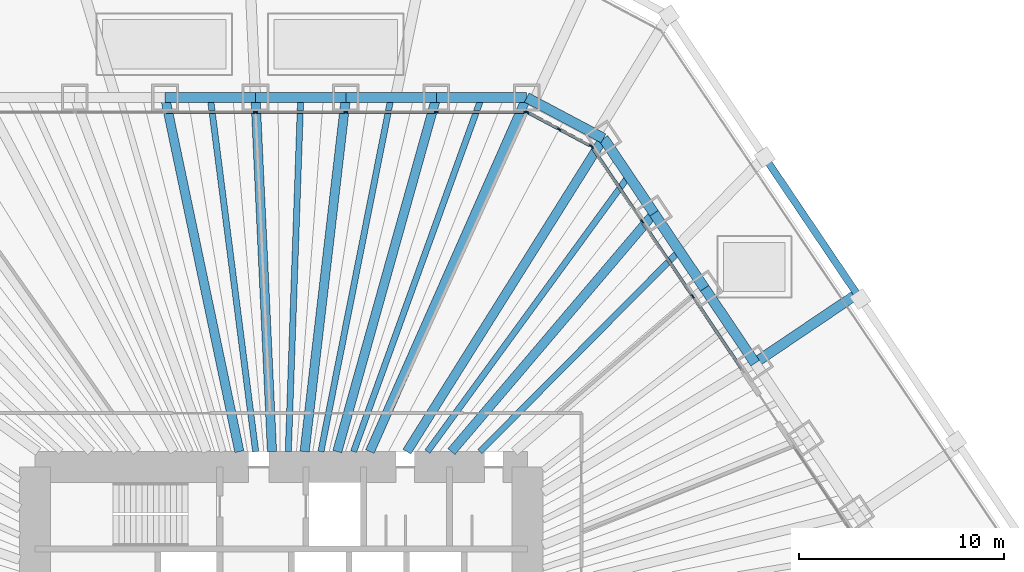
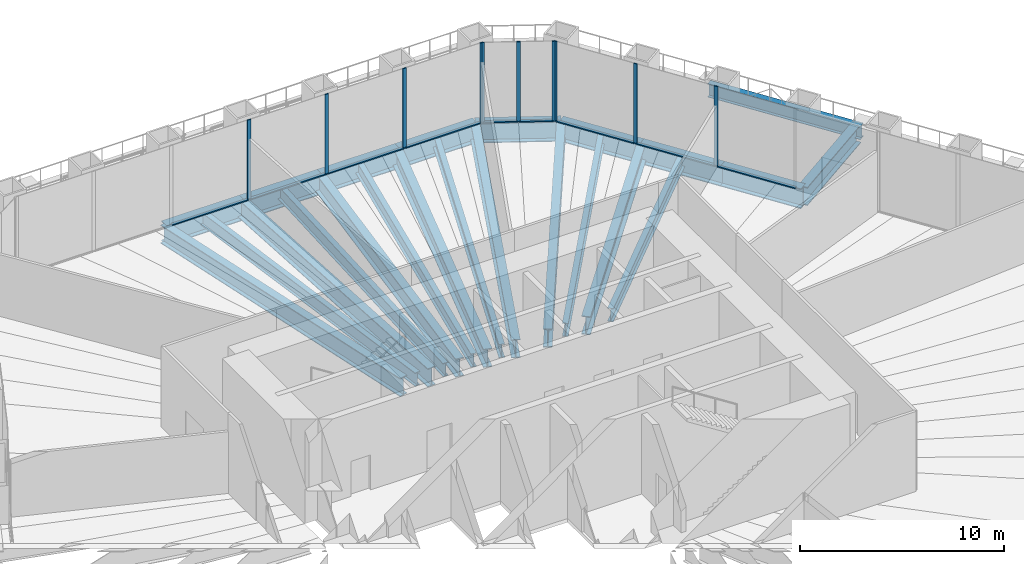
# One storey, part 9 of 20: 23 beams, 19 members, 3 elements without a shape of their own.
"""IFC4 building model written with IfcOpenShell, lengths in metres."""

from ifc_helpers import new_model, si_unit, direction, frame, origin, origin_2d, place, context, subcontext, project, spatial, rectangle, i_section, extrude, material, material_profile, profile_set, type_object, element, aggregate, save


model = new_model("IFC4")

# Units and contexts
model_context = context("Model", 3, precision=1e-05, world=origin(), true_north=direction((0.0, 1.0)))
body_context = subcontext(model_context, "Body", "Model", "MODEL_VIEW")
ifc_project = project(units=[si_unit("LENGTHUNIT", "METRE"), si_unit("AREAUNIT", "SQUARE_METRE"), si_unit("VOLUMEUNIT", "CUBIC_METRE"), si_unit("PLANEANGLEUNIT", "RADIAN"), si_unit("MASSUNIT", "GRAM", prefix="KILO")], contexts=[model_context])

# Site, building, storey
site_placement = place(None, origin())
site = spatial("IfcSite", under=ifc_project, at=site_placement, CompositionType="ELEMENT")
building_placement = place(site_placement, origin())
building = spatial("IfcBuilding", under=site, at=building_placement, Name="Qingtian Harvest Tower", CompositionType="ELEMENT")
storey_placement = place(building_placement, frame((0.0, 0.0, 17.0)))
storey = spatial("IfcBuildingStorey", under=building, at=storey_placement, Name="L03", CompositionType="ELEMENT", Elevation=17.0)

# Beams
ifc_material_1 = material(Name="Steel SM570MC", Category="steel")
ifc_material_profile_1 = material_profile(ifc_material_1, i_section(OverallWidth=0.449951171875, OverallDepth=1.10009765625, WebThickness=0.02197265625, FlangeThickness=0.044921875, at=origin_2d()), Name="H1100x450x22x45")
ifc_profile_set_1 = profile_set([ifc_material_profile_1], Name="Steel SM570MC")
beam_type_1 = type_object("IfcBeamType", Name="Corner floor beam FB8 H1100x450x22x45", PredefinedType="BEAM", material=ifc_profile_set_1)
beam_1_placement = place(storey_placement, frame((11.9560546875, 27.0, -0.85009765625), z_axis=(-0.404898955654, -0.914361436036, 0.0), x_axis=(0.914361436036, -0.404898955654, 0.0)))
element("IfcBeam", 1, at=beam_1_placement, inside=storey, type_object=beam_type_1, Name="Floor beam FB8 N6", PredefinedType="BEAM", context=body_context, shape_type="SweptSolid", body=[
    extrude(i_section(OverallWidth=0.449951171875, OverallDepth=1.10009765625, WebThickness=0.02197265625, FlangeThickness=0.044921875, at=origin_2d()), origin(), (0.0, 0.0, 1.0), 18.86572265625),
])
beam_2_placement = place(storey_placement, frame((15.6982421875, 25.01025390625, -0.85009765625), z_axis=(-0.531622796942, -0.846981228701, 0.0), x_axis=(0.846981228701, -0.531622796942, 0.0)))
element("IfcBeam", 2, at=beam_2_placement, inside=storey, type_object=beam_type_1, Name="Floor beam FB8 NE0", PredefinedType="BEAM", context=body_context, shape_type="SweptSolid", body=[
    extrude(i_section(OverallWidth=0.449951171875, OverallDepth=1.10009765625, WebThickness=0.02197265625, FlangeThickness=0.044921875, at=origin_2d()), origin(), (0.0, 0.0, 1.0), 18.017333984375),
])
ifc_material_2 = material(Name="Steel SM570MC", Category="steel")
ifc_material_profile_2 = material_profile(ifc_material_2, i_section(OverallWidth=0.449951171875, OverallDepth=1.10009765625, WebThickness=0.02197265625, FlangeThickness=0.044921875, at=origin_2d()), Name="H1100x450x22x45")
ifc_profile_set_2 = profile_set([ifc_material_profile_2], Name="Steel SM570MC")
beam_type_2 = type_object("IfcBeamType", Name="Floor beam FB1 H1100x450x22x45", PredefinedType="BEAM", material=ifc_profile_set_2)
beam_3_placement = place(storey_placement, frame((-5.662353515625, 27.0, -0.85009765625), z_axis=(0.205255077335, -0.978708512903, 0.0), x_axis=(0.978708512903, 0.205255077335, 0.0)))
element("IfcBeam", 3, at=beam_3_placement, inside=storey, type_object=beam_type_2, Name="Floor beam FB1 N2", PredefinedType="BEAM", context=body_context, shape_type="SweptSolid", body=[
    extrude(i_section(OverallWidth=0.449951171875, OverallDepth=1.10009765625, WebThickness=0.02197265625, FlangeThickness=0.044921875, at=origin_2d()), origin(), (0.0, 0.0, 1.0), 17.625244140625),
])
beam_4_placement = place(storey_placement, frame((-1.257568359375, 27.0, -0.85009765625), z_axis=(0.046527342366, -0.99891701678, 0.0), x_axis=(0.99891701678, 0.046527342366, 0.0)))
element("IfcBeam", 4, at=beam_4_placement, inside=storey, type_object=beam_type_2, Name="Floor beam FB1 N3", PredefinedType="BEAM", context=body_context, shape_type="SweptSolid", body=[
    extrude(i_section(OverallWidth=0.449951171875, OverallDepth=1.10009765625, WebThickness=0.02197265625, FlangeThickness=0.044921875, at=origin_2d()), origin(), (0.0, 0.0, 1.0), 17.268798828125),
])
beam_5_placement = place(storey_placement, frame((3.14697265625, 27.0, -0.85009765625), z_axis=(-0.115766971807, -0.993276400726, 0.0), x_axis=(0.993276400726, -0.115766971807, 0.0)))
element("IfcBeam", 5, at=beam_5_placement, inside=storey, type_object=beam_type_2, Name="Floor beam FB1 N4", PredefinedType="BEAM", context=body_context, shape_type="SweptSolid", body=[
    extrude(i_section(OverallWidth=0.449951171875, OverallDepth=1.10009765625, WebThickness=0.02197265625, FlangeThickness=0.044921875, at=origin_2d()), origin(), (0.0, 0.0, 1.0), 17.36669921875),
])
beam_6_placement = place(storey_placement, frame((7.551513671875, 27.0, -0.85009765625), z_axis=(-0.269343258019, -0.963044240604, 0.0), x_axis=(0.963044240604, -0.269343258019, 0.0)))
element("IfcBeam", 6, at=beam_6_placement, inside=storey, type_object=beam_type_2, Name="Floor beam FB1 N5", PredefinedType="BEAM", context=body_context, shape_type="SweptSolid", body=[
    extrude(i_section(OverallWidth=0.449951171875, OverallDepth=1.10009765625, WebThickness=0.02197265625, FlangeThickness=0.044921875, at=origin_2d()), origin(), (0.0, 0.0, 1.0), 17.911865234375),
])
beam_7_placement = place(storey_placement, frame((18.1611328125, 21.358642578125, -0.85009765625), z_axis=(-0.647781887327, -0.761825850474, 0.0), x_axis=(0.761825850474, -0.647781887327, 0.0)))
element("IfcBeam", 7, at=beam_7_placement, inside=storey, type_object=beam_type_2, Name="Floor beam FB1 NE1", PredefinedType="BEAM", context=body_context, shape_type="SweptSolid", body=[
    extrude(i_section(OverallWidth=0.449951171875, OverallDepth=1.10009765625, WebThickness=0.02197265625, FlangeThickness=0.044921875, at=origin_2d()), origin(), (0.0, 0.0, 1.0), 15.238037109375),
])
ifc_material_3 = material(Name="Steel SM570MC", Category="steel")
ifc_material_profile_3 = material_profile(ifc_material_3, i_section(OverallWidth=0.5, OverallDepth=1.10009765625, WebThickness=0.02490234375, FlangeThickness=0.050048828125, at=origin_2d()), Name="H1100x500x25x50")
ifc_profile_set_3 = profile_set([ifc_material_profile_3], Name="Steel SM570MC")
beam_type_3 = type_object("IfcBeamType", Name="Floor beam FB6 H1100x500x25x50", PredefinedType="BEAM", material=ifc_profile_set_3)
beam_8_placement = place(storey_placement, frame((28.050048828125, 17.427734375, -0.85009765625), z_axis=(-0.829026943096, -0.559208661969, 0.0), x_axis=(0.559208661969, -0.829026943096, 0.0)))
element("IfcBeam", 8, at=beam_8_placement, inside=storey, type_object=beam_type_3, Name="Podium floor beam FB6 NE2", PredefinedType="BEAM", context=body_context, shape_type="SweptSolid", body=[
    extrude(i_section(OverallWidth=0.5, OverallDepth=1.10009765625, WebThickness=0.02490234375, FlangeThickness=0.050048828125, at=origin_2d()), origin(), (0.0, 0.0, 1.0), 6.0),
])
ifc_material_4 = material(Name="Steel SN490B", Category="steel")
ifc_material_profile_4 = material_profile(ifc_material_4, i_section(OverallWidth=0.300048828125, OverallDepth=0.800048828125, WebThickness=0.013916015625, FlangeThickness=0.02587890625, at=origin_2d()), Name="H800x300x14x26")
ifc_profile_set_4 = profile_set([ifc_material_profile_4], Name="Steel SN490B")
beam_type_4 = type_object("IfcBeamType", Name="Floor joist J1 H800x300x14x26", PredefinedType="JOIST", material=ifc_profile_set_4)
beam_9_placement = place(storey_placement, frame((-3.4599609375, 27.0, -0.699951171875), z_axis=(0.127102696173, -0.991889562716, 0.0), x_axis=(0.991889562716, 0.127102696173, 0.0)))
element("IfcBeam", 9, at=beam_9_placement, inside=storey, type_object=beam_type_4, Name="Floor joist J1 N2", PredefinedType="JOIST", context=body_context, shape_type="SweptSolid", body=[
    extrude(i_section(OverallWidth=0.300048828125, OverallDepth=0.800048828125, WebThickness=0.013916015625, FlangeThickness=0.02587890625, at=origin_2d()), origin(), (0.0, 0.0, 1.0), 17.39111328125),
])
beam_10_placement = place(storey_placement, frame((0.944580078125, 27.0, -0.699951171875), z_axis=(-0.034965020137, -0.99938853674, 0.0), x_axis=(0.99938853674, -0.034965020137, 0.0)))
element("IfcBeam", 10, at=beam_10_placement, inside=storey, type_object=beam_type_4, Name="Floor joist J1 N3", PredefinedType="JOIST", context=body_context, shape_type="SweptSolid", body=[
    extrude(i_section(OverallWidth=0.300048828125, OverallDepth=0.800048828125, WebThickness=0.013916015625, FlangeThickness=0.02587890625, at=origin_2d()), origin(), (0.0, 0.0, 1.0), 17.260498046875),
])
beam_11_placement = place(storey_placement, frame((5.349365234375, 27.0, -0.699951171875), z_axis=(-0.19435104803, -0.980932041545, 0.0), x_axis=(0.980932041545, -0.19435104803, 0.0)))
element("IfcBeam", 11, at=beam_11_placement, inside=storey, type_object=beam_type_4, Name="Floor joist J1 N4", PredefinedType="JOIST", context=body_context, shape_type="SweptSolid", body=[
    extrude(i_section(OverallWidth=0.300048828125, OverallDepth=0.800048828125, WebThickness=0.013916015625, FlangeThickness=0.02587890625, at=origin_2d()), origin(), (0.0, 0.0, 1.0), 17.585205078125),
])
beam_12_placement = place(storey_placement, frame((9.75390625, 27.0, -0.699951171875), z_axis=(-0.339766141765, -0.940509951521, 0.0), x_axis=(0.940509951521, -0.339766141765, 0.0)))
element("IfcBeam", 12, at=beam_12_placement, inside=storey, type_object=beam_type_4, Name="Floor joist J1 N5", PredefinedType="JOIST", context=body_context, shape_type="SweptSolid", body=[
    extrude(i_section(OverallWidth=0.300048828125, OverallDepth=0.800048828125, WebThickness=0.013916015625, FlangeThickness=0.02587890625, at=origin_2d()), origin(), (0.0, 0.0, 1.0), 18.341064453125),
])
beam_13_placement = place(storey_placement, frame((16.9296875, 23.1845703125, -0.699951171875), z_axis=(-0.589722175422, -0.80760618857, 0.0), x_axis=(0.80760618857, -0.589722175422, 0.0)))
element("IfcBeam", 13, at=beam_13_placement, inside=storey, type_object=beam_type_4, Name="Floor joist J1 NE0", PredefinedType="JOIST", context=body_context, shape_type="SweptSolid", body=[
    extrude(i_section(OverallWidth=0.300048828125, OverallDepth=0.800048828125, WebThickness=0.013916015625, FlangeThickness=0.02587890625, at=origin_2d()), origin(), (0.0, 0.0, 1.0), 16.635009765625),
])
beam_14_placement = place(storey_placement, frame((19.392822265625, 19.532958984375, -0.699951171875), z_axis=(-0.704560879039, -0.709643549768, 0.0), x_axis=(0.709643549768, -0.704560879039, 0.0)))
element("IfcBeam", 14, at=beam_14_placement, inside=storey, type_object=beam_type_4, Name="Floor joist J1 NE1", PredefinedType="JOIST", context=body_context, shape_type="SweptSolid", body=[
    extrude(i_section(OverallWidth=0.300048828125, OverallDepth=0.800048828125, WebThickness=0.013916015625, FlangeThickness=0.02587890625, at=origin_2d()), origin(), (0.0, 0.0, 1.0), 13.78564453125),
])

# Curtain wall, members
ifc_material_5 = material(Name="Bronze-anodised aluminium curtain wall", Category="aluminium")
curtain_wall_type = type_object("IfcCurtainWallType", Name="Curtain wall CW2 farm reception", PredefinedType="USERDEFINED", material=ifc_material_5)
curtain_wall_1_placement = place(storey_placement, origin())
curtain_wall_1 = element("IfcCurtainWall", 15, at=curtain_wall_1_placement, inside=storey, type_object=curtain_wall_type, Name="Curtain wall CW2 L03 N0-5", ObjectType="RECESSED CURTAIN WALL", PredefinedType="USERDEFINED")
ifc_material_6 = material(Name="Bronze-anodised aluminium mullion", Category="aluminium")
ifc_material_profile_5 = material_profile(ifc_material_6, rectangle(XDim=0.06494140625, YDim=0.199951171875, at=origin_2d()), Name="AL 65x200")
ifc_profile_set_5 = profile_set([ifc_material_profile_5], Name="Bronze-anodised aluminium mullion")
member_type_1 = type_object("IfcMemberType", Name="Mullion CWM 65x200", PredefinedType="MULLION", material=ifc_profile_set_5)
member_1_placement = place(storey_placement, frame((-1.257568359375, 26.300048828125, 0.0), z_axis=(0.0, 0.0, 1.0), x_axis=(0.0, 1.0, 0.0)))
member_1 = element("IfcMember", 16, at=member_1_placement, type_object=member_type_1, Name="CW2 mullion 4", PredefinedType="MULLION", context=body_context, shape_type="SweptSolid", body=[
    extrude(rectangle(XDim=0.06494140625, YDim=0.199951171875, at=origin_2d()), origin(), (0.0, 0.0, 1.0), 4.800048828125),
])
member_2_placement = place(storey_placement, frame((3.14697265625, 26.300048828125, 0.0), z_axis=(0.0, 0.0, 1.0), x_axis=(0.0, 1.0, 0.0)))
member_2 = element("IfcMember", 17, at=member_2_placement, type_object=member_type_1, Name="CW2 mullion 5", PredefinedType="MULLION", context=body_context, shape_type="SweptSolid", body=[
    extrude(rectangle(XDim=0.06494140625, YDim=0.199951171875, at=origin_2d()), origin(), (0.0, 0.0, 1.0), 4.800048828125),
])
member_3_placement = place(storey_placement, frame((7.551513671875, 26.300048828125, 0.0), z_axis=(0.0, 0.0, 1.0), x_axis=(0.0, 1.0, 0.0)))
member_3 = element("IfcMember", 18, at=member_3_placement, type_object=member_type_1, Name="CW2 mullion 6", PredefinedType="MULLION", context=body_context, shape_type="SweptSolid", body=[
    extrude(rectangle(XDim=0.06494140625, YDim=0.199951171875, at=origin_2d()), origin(), (0.0, 0.0, 1.0), 4.800048828125),
])
member_4_placement = place(storey_placement, frame((11.923583984375, 26.300048828125, 0.0), z_axis=(0.0, 0.0, 1.0), x_axis=(0.0, 1.0, 0.0)))
member_4 = element("IfcMember", 19, at=member_4_placement, type_object=member_type_1, Name="CW2 mullion 7", PredefinedType="MULLION", context=body_context, shape_type="SweptSolid", body=[
    extrude(rectangle(XDim=0.06494140625, YDim=0.199951171875, at=origin_2d()), origin(), (0.0, 0.0, 1.0), 4.800048828125),
])

curtain_wall_2_placement = place(storey_placement, origin())
curtain_wall_2 = element("IfcCurtainWall", 20, at=curtain_wall_2_placement, inside=storey, type_object=curtain_wall_type, Name="Curtain wall CW2 L03 NC", ObjectType="RECESSED CURTAIN WALL", PredefinedType="USERDEFINED")
member_5_placement = place(storey_placement, frame((11.98486328125, 26.28466796875, 0.0), z_axis=(0.0, 0.0, 1.0), x_axis=(0.469471562786, 0.882947592859, 0.0)))
member_5 = element("IfcMember", 21, at=member_5_placement, type_object=member_type_1, Name="CW2 mullion 1", PredefinedType="MULLION", context=body_context, shape_type="SweptSolid", body=[
    extrude(rectangle(XDim=0.06494140625, YDim=0.199951171875, at=origin_2d()), origin(), (0.0, 0.0, 1.0), 4.800048828125),
])
member_6_placement = place(storey_placement, frame((13.537109375, 25.45947265625, 0.0), z_axis=(0.0, 0.0, 1.0), x_axis=(0.469471562786, 0.882947592859, 0.0)))
member_6 = element("IfcMember", 22, at=member_6_placement, type_object=member_type_1, Name="CW2 mullion 2", PredefinedType="MULLION", context=body_context, shape_type="SweptSolid", body=[
    extrude(rectangle(XDim=0.06494140625, YDim=0.199951171875, at=origin_2d()), origin(), (0.0, 0.0, 1.0), 4.800048828125),
])
member_7_placement = place(storey_placement, frame((15.089111328125, 24.634033203125, 0.0), z_axis=(0.0, 0.0, 1.0), x_axis=(0.469471562786, 0.882947592859, 0.0)))
member_7 = element("IfcMember", 23, at=member_7_placement, type_object=member_type_1, Name="CW2 mullion 3", PredefinedType="MULLION", context=body_context, shape_type="SweptSolid", body=[
    extrude(rectangle(XDim=0.06494140625, YDim=0.199951171875, at=origin_2d()), origin(), (0.0, 0.0, 1.0), 4.800048828125),
])

curtain_wall_3_placement = place(storey_placement, origin())
curtain_wall_3 = element("IfcCurtainWall", 24, at=curtain_wall_3_placement, inside=storey, type_object=curtain_wall_type, Name="Curtain wall CW2 L03 NE0-2", ObjectType="RECESSED CURTAIN WALL", PredefinedType="USERDEFINED")
member_8_placement = place(storey_placement, frame((15.135986328125, 24.592041015625, 0.0), z_axis=(0.0, 0.0, 1.0), x_axis=(0.829037572555, 0.559192903471, 0.0)))
member_8 = element("IfcMember", 25, at=member_8_placement, type_object=member_type_1, Name="CW2 mullion 1", PredefinedType="MULLION", context=body_context, shape_type="SweptSolid", body=[
    extrude(rectangle(XDim=0.06494140625, YDim=0.199951171875, at=origin_2d()), origin(), (0.0, 0.0, 1.0), 4.800048828125),
])
member_9_placement = place(storey_placement, frame((17.580810546875, 20.96728515625, 0.0), z_axis=(0.0, 0.0, 1.0), x_axis=(0.829037572555, 0.559192903471, 0.0)))
member_9 = element("IfcMember", 26, at=member_9_placement, type_object=member_type_1, Name="CW2 mullion 2", PredefinedType="MULLION", context=body_context, shape_type="SweptSolid", body=[
    extrude(rectangle(XDim=0.06494140625, YDim=0.199951171875, at=origin_2d()), origin(), (0.0, 0.0, 1.0), 4.800048828125),
])
member_10_placement = place(storey_placement, frame((20.0439453125, 17.315673828125, 0.0), z_axis=(0.0, 0.0, 1.0), x_axis=(0.829037572555, 0.559192903471, 0.0)))
member_10 = element("IfcMember", 27, at=member_10_placement, type_object=member_type_1, Name="CW2 mullion 3", PredefinedType="MULLION", context=body_context, shape_type="SweptSolid", body=[
    extrude(rectangle(XDim=0.06494140625, YDim=0.199951171875, at=origin_2d()), origin(), (0.0, 0.0, 1.0), 4.800048828125),
])

# Beams
ifc_material_7 = material(Name="Steel SN490B", Category="steel")
ifc_material_profile_6 = material_profile(ifc_material_7, i_section(OverallWidth=0.35009765625, OverallDepth=0.800048828125, WebThickness=0.01611328125, FlangeThickness=0.028076171875, at=origin_2d()), Name="H800x350x16x28")
ifc_profile_set_6 = profile_set([ifc_material_profile_6], Name="Steel SN490B")
beam_type_5 = type_object("IfcBeamType", Name="Podium beam PB1 H800x350x16x28", PredefinedType="BEAM", material=ifc_profile_set_6)
beam_15_placement = place(storey_placement, frame((23.55322265625, 24.0947265625, -0.699951171875), z_axis=(0.559176755628, -0.829048464183, 0.0), x_axis=(0.829048464183, 0.559176755628, 0.0)))
element("IfcBeam", 28, at=beam_15_placement, inside=storey, type_object=beam_type_5, Name="Podium edge beam PB1 NE1", PredefinedType="BEAM", context=body_context, shape_type="SweptSolid", body=[
    extrude(i_section(OverallWidth=0.35009765625, OverallDepth=0.800048828125, WebThickness=0.01611328125, FlangeThickness=0.028076171875, at=origin_2d()), origin(), (0.0, 0.0, 1.0), 8.341796875),
])
ifc_material_8 = material(Name="Steel SM570MC", Category="steel")
ifc_material_profile_7 = material_profile(ifc_material_8, i_section(OverallWidth=0.5, OverallDepth=1.199951171875, WebThickness=0.02490234375, FlangeThickness=0.050048828125, at=origin_2d()), Name="H1200x500x25x50")
ifc_profile_set_7 = profile_set([ifc_material_profile_7], Name="Steel SM570MC")
beam_type_6 = type_object("IfcBeamType", Name="Spandrel beam SB1 H1200x500x25x50", PredefinedType="SPANDREL", material=ifc_profile_set_7)
beam_16_placement = place(storey_placement, frame((-5.662353515625, 27.0, -0.89990234375), z_axis=(1.0, 0.0, 0.0), x_axis=(0.0, 1.0, 0.0)))
element("IfcBeam", 29, at=beam_16_placement, inside=storey, type_object=beam_type_6, Name="Spandrel SB1 N2", PredefinedType="SPANDREL", context=body_context, shape_type="SweptSolid", body=[
    extrude(i_section(OverallWidth=0.5, OverallDepth=1.199951171875, WebThickness=0.02490234375, FlangeThickness=0.050048828125, at=origin_2d()), origin(), (0.0, 0.0, 1.0), 4.40478515625),
])
for number, where, z_axis, x_axis, name in (
    (30, (-1.257568359375, 27.0, -0.89990234375), (1.0, 0.0, 0.0), (0.0, 1.0, 0.0), "Spandrel SB1 N3"),
    (31, (3.14697265625, 27.0, -0.89990234375), (1.0, 0.0, 0.0), (0.0, 1.0, 0.0), "Spandrel SB1 N4"),
    (32, (7.551513671875, 27.0, -0.89990234375), (1.0, 0.0, 0.0), (0.0, 1.0, 0.0), "Spandrel SB1 N5"),
):
    element("IfcBeam", number, at=place(storey_placement, frame(where, z_axis=z_axis, x_axis=x_axis)), inside=storey, type_object=beam_type_6, Name=name, PredefinedType="SPANDREL", context=body_context, shape_type="SweptSolid", body=[
        extrude(i_section(OverallWidth=0.5, OverallDepth=1.199951171875, WebThickness=0.02490234375, FlangeThickness=0.050048828125, at=origin_2d()), origin(), (0.0, 0.0, 1.0), 4.404541015625),
    ])
beam_17_placement = place(storey_placement, frame((11.9560546875, 27.0, -0.89990234375), z_axis=(0.882948599748, -0.469469669099, 0.0), x_axis=(0.469469669099, 0.882948599748, 0.0)))
element("IfcBeam", 33, at=beam_17_placement, inside=storey, type_object=beam_type_6, Name="Spandrel SB1 NC", PredefinedType="SPANDREL", context=body_context, shape_type="SweptSolid", body=[
    extrude(i_section(OverallWidth=0.5, OverallDepth=1.199951171875, WebThickness=0.02490234375, FlangeThickness=0.050048828125, at=origin_2d()), origin(), (0.0, 0.0, 1.0), 4.23828125),
])
beam_18_placement = place(storey_placement, frame((15.6982421875, 25.01025390625, -0.89990234375), z_axis=(0.559169135272, -0.829053603912, 0.0), x_axis=(0.829053603912, 0.559169135272, 0.0)))
element("IfcBeam", 34, at=beam_18_placement, inside=storey, type_object=beam_type_6, Name="Spandrel SB1 NE0", PredefinedType="SPANDREL", context=body_context, shape_type="SweptSolid", body=[
    extrude(i_section(OverallWidth=0.5, OverallDepth=1.199951171875, WebThickness=0.02490234375, FlangeThickness=0.050048828125, at=origin_2d()), origin(), (0.0, 0.0, 1.0), 4.404541015625),
])
beam_19_placement = place(storey_placement, frame((18.1611328125, 21.358642578125, -0.89990234375), z_axis=(0.559207231603, -0.829027907928, 0.0), x_axis=(0.829027907928, 0.559207231603, 0.0)))
element("IfcBeam", 35, at=beam_19_placement, inside=storey, type_object=beam_type_6, Name="Spandrel SB1 NE1", PredefinedType="SPANDREL", context=body_context, shape_type="SweptSolid", body=[
    extrude(i_section(OverallWidth=0.5, OverallDepth=1.199951171875, WebThickness=0.02490234375, FlangeThickness=0.050048828125, at=origin_2d()), origin(), (0.0, 0.0, 1.0), 4.40478515625),
])
beam_20_placement = place(storey_placement, frame((20.624267578125, 17.70703125, -0.89990234375), z_axis=(0.559232928578, -0.829010573874, 0.0), x_axis=(0.829010573874, 0.559232928578, 0.0)))
element("IfcBeam", 36, at=beam_20_placement, inside=storey, type_object=beam_type_6, Name="Spandrel SB1 NE2", PredefinedType="SPANDREL", context=body_context, shape_type="SweptSolid", body=[
    extrude(i_section(OverallWidth=0.5, OverallDepth=1.199951171875, WebThickness=0.02490234375, FlangeThickness=0.050048828125, at=origin_2d()), origin(), (0.0, 0.0, 1.0), 4.404541015625),
])

# Member
ifc_material_9 = material(Name="Bronze-anodised aluminium transom", Category="aluminium")
ifc_material_profile_8 = material_profile(ifc_material_9, rectangle(XDim=0.14990234375, YDim=0.06494140625, at=origin_2d()), Name="AL 65x150")
ifc_profile_set_8 = profile_set([ifc_material_profile_8], Name="Bronze-anodised aluminium transom")
member_type_2 = type_object("IfcMemberType", Name="Transom CWT 65x150", PredefinedType="USERDEFINED", material=ifc_profile_set_8)
member_11_placement = place(storey_placement, frame((-5.6298828125, 26.300048828125, 0.032470703125), z_axis=(1.0, 0.0, 0.0), x_axis=(0.0, 1.0, 0.0)))
member_11 = element("IfcMember", 37, at=member_11_placement, type_object=member_type_2, Name="CW2 transom 3.1", ObjectType="TRANSOM", PredefinedType="USERDEFINED", context=body_context, shape_type="SweptSolid", body=[
    extrude(rectangle(XDim=0.14990234375, YDim=0.06494140625, at=origin_2d()), origin(), (0.0, 0.0, 1.0), 4.33984375),
])

member_12_placement = place(storey_placement, frame((-1.22509765625, 26.300048828125, 0.032470703125), z_axis=(1.0, 0.0, 0.0), x_axis=(0.0, 1.0, 0.0)))
member_12 = element("IfcMember", 38, at=member_12_placement, type_object=member_type_2, Name="CW2 transom 4.1", ObjectType="TRANSOM", PredefinedType="USERDEFINED", context=body_context, shape_type="SweptSolid", body=[
    extrude(rectangle(XDim=0.14990234375, YDim=0.06494140625, at=origin_2d()), origin(), (0.0, 0.0, 1.0), 4.339599609375),
])

member_13_placement = place(storey_placement, frame((3.179443359375, 26.300048828125, 0.032470703125), z_axis=(1.0, 0.0, 0.0), x_axis=(0.0, 1.0, 0.0)))
member_13 = element("IfcMember", 39, at=member_13_placement, type_object=member_type_2, Name="CW2 transom 5.1", ObjectType="TRANSOM", PredefinedType="USERDEFINED", context=body_context, shape_type="SweptSolid", body=[
    extrude(rectangle(XDim=0.14990234375, YDim=0.06494140625, at=origin_2d()), origin(), (0.0, 0.0, 1.0), 4.339599609375),
])

member_14_placement = place(storey_placement, frame((7.583984375, 26.300048828125, 0.032470703125), z_axis=(1.0, 0.0, 0.0), x_axis=(0.0, 1.0, 0.0)))
member_14 = element("IfcMember", 40, at=member_14_placement, type_object=member_type_2, Name="CW2 transom 6.1", ObjectType="TRANSOM", PredefinedType="USERDEFINED", context=body_context, shape_type="SweptSolid", body=[
    extrude(rectangle(XDim=0.14990234375, YDim=0.06494140625, at=origin_2d()), origin(), (0.0, 0.0, 1.0), 4.30712890625),
])

aggregate(curtain_wall_1, [member_1, member_2, member_3, member_4, member_11, member_12, member_13, member_14])

member_15_placement = place(storey_placement, frame((12.013427734375, 26.26953125, 0.032470703125), z_axis=(0.882927080927, -0.469510138086, 0.0), x_axis=(0.469510138086, 0.882927080927, 0.0)))
member_15 = element("IfcMember", 41, at=member_15_placement, type_object=member_type_2, Name="CW2 transom 1.1", ObjectType="TRANSOM", PredefinedType="USERDEFINED", context=body_context, shape_type="SweptSolid", body=[
    extrude(rectangle(XDim=0.14990234375, YDim=0.06494140625, at=origin_2d()), origin(), (0.0, 0.0, 1.0), 1.693115234375),
])

member_16_placement = place(storey_placement, frame((13.565673828125, 25.444091796875, 0.032470703125), z_axis=(0.882986854304, -0.469397715297, 0.0), x_axis=(0.469397715297, 0.882986854304, 0.0)))
member_16 = element("IfcMember", 42, at=member_16_placement, type_object=member_type_2, Name="CW2 transom 2.1", ObjectType="TRANSOM", PredefinedType="USERDEFINED", context=body_context, shape_type="SweptSolid", body=[
    extrude(rectangle(XDim=0.14990234375, YDim=0.06494140625, at=origin_2d()), origin(), (0.0, 0.0, 1.0), 1.69287109375),
])

aggregate(curtain_wall_2, [member_5, member_6, member_7, member_15, member_16])

member_17_placement = place(storey_placement, frame((15.154296875, 24.56494140625, 0.032470703125), z_axis=(0.559178817275, -0.82904707364, 0.0), x_axis=(0.82904707364, 0.559178817275, 0.0)))
member_17 = element("IfcMember", 43, at=member_17_placement, type_object=member_type_2, Name="CW2 transom 1.1", ObjectType="TRANSOM", PredefinedType="USERDEFINED", context=body_context, shape_type="SweptSolid", body=[
    extrude(rectangle(XDim=0.14990234375, YDim=0.06494140625, at=origin_2d()), origin(), (0.0, 0.0, 1.0), 4.30712890625),
])

member_18_placement = place(storey_placement, frame((17.59912109375, 20.9404296875, 0.032470703125), z_axis=(0.559210013199, -0.82902603164, 0.0), x_axis=(0.82902603164, 0.559210013199, 0.0)))
member_18 = element("IfcMember", 44, at=member_18_placement, type_object=member_type_2, Name="CW2 transom 2.1", ObjectType="TRANSOM", PredefinedType="USERDEFINED", context=body_context, shape_type="SweptSolid", body=[
    extrude(rectangle(XDim=0.14990234375, YDim=0.06494140625, at=origin_2d()), origin(), (0.0, 0.0, 1.0), 4.339599609375),
])

member_19_placement = place(storey_placement, frame((20.06201171875, 17.288818359375, 0.032470703125), z_axis=(0.559217774799, -0.829020796089, 0.0), x_axis=(0.829020796089, 0.559217774799, 0.0)))
member_19 = element("IfcMember", 45, at=member_19_placement, type_object=member_type_2, Name="CW2 transom 3.1", ObjectType="TRANSOM", PredefinedType="USERDEFINED", context=body_context, shape_type="SweptSolid", body=[
    extrude(rectangle(XDim=0.14990234375, YDim=0.06494140625, at=origin_2d()), origin(), (0.0, 0.0, 1.0), 4.307373046875),
])

aggregate(curtain_wall_3, [member_8, member_9, member_10, member_17, member_18, member_19])

save(model, "model.ifc")
